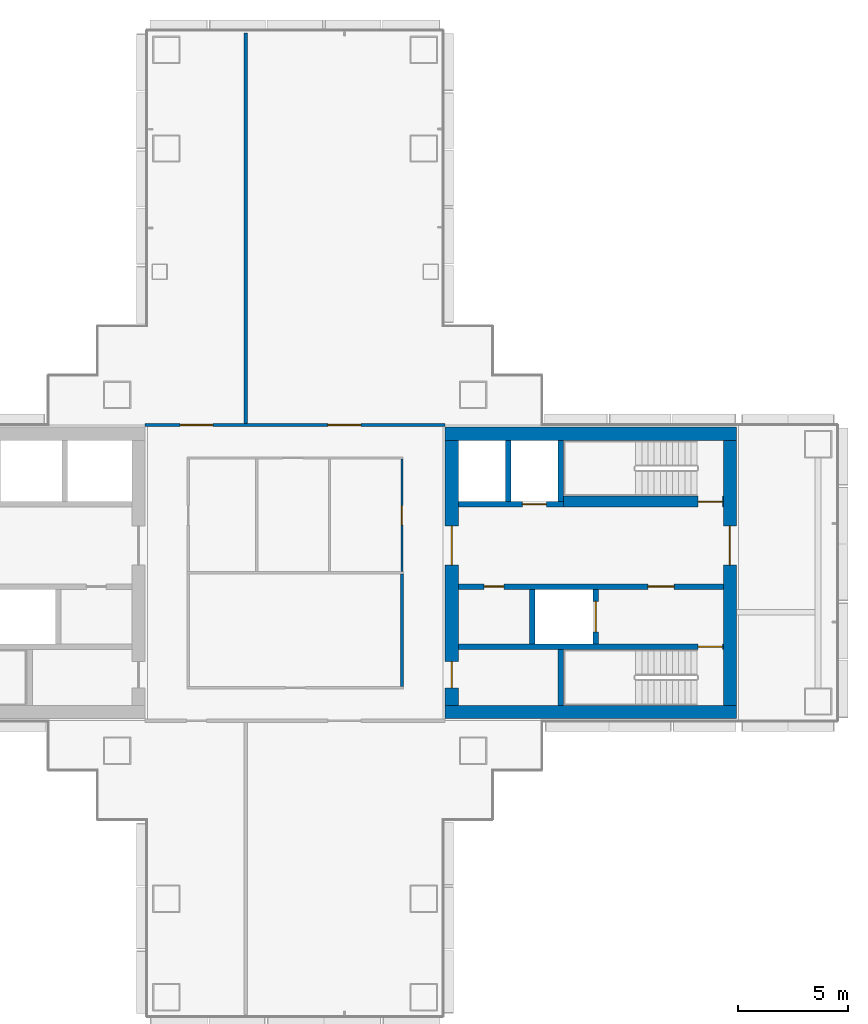
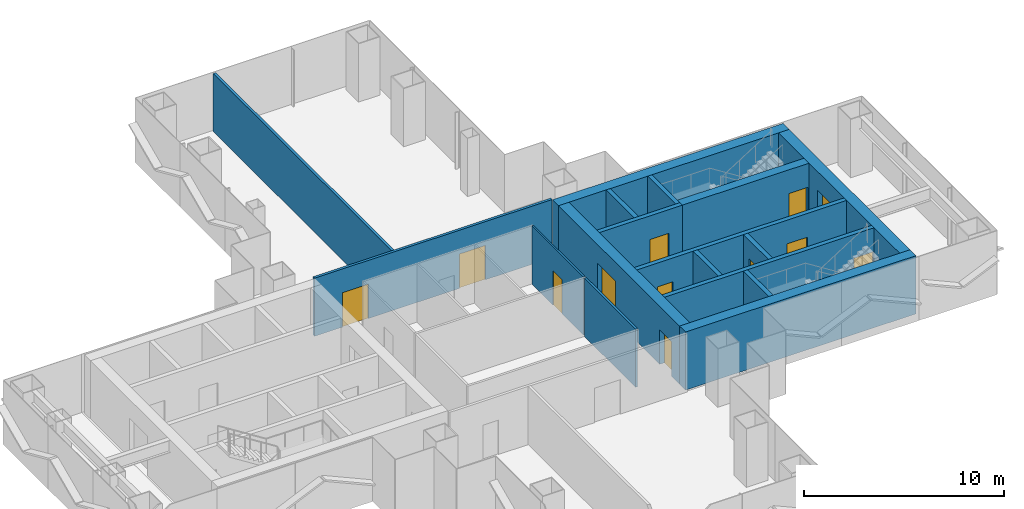
# One storey, part 15 of 20: 17 walls, 12 doors, 12 openings.
"""IFC4 building model written with IfcOpenShell, lengths in metres."""

from ifc_helpers import new_model, si_unit, direction, frame, frame_2d, origin, place, context, subcontext, project, spatial, rectangle, extrude, material, layer, layer_set, type_object, element, fill, save


model = new_model("IFC4")

# Units and contexts
model_context = context("Model", 3, precision=1e-05, world=origin(), true_north=direction((0.0, 1.0)))
body_context = subcontext(model_context, "Body", "Model", "MODEL_VIEW")
ifc_project = project(units=[si_unit("LENGTHUNIT", "METRE"), si_unit("AREAUNIT", "SQUARE_METRE"), si_unit("VOLUMEUNIT", "CUBIC_METRE"), si_unit("PLANEANGLEUNIT", "RADIAN"), si_unit("MASSUNIT", "GRAM", prefix="KILO")], contexts=[model_context])

# Site, building, storey
site_placement = place(None, origin())
site = spatial("IfcSite", under=ifc_project, at=site_placement, CompositionType="ELEMENT")
building_placement = place(site_placement, origin())
building = spatial("IfcBuilding", under=site, at=building_placement, Name="Shamsa Quay Exchange Towers", CompositionType="ELEMENT")
storey_placement = place(building_placement, frame((0.0, 0.0, 101.39990234375)))
storey = spatial("IfcBuildingStorey", under=building, at=storey_placement, Name="L23", CompositionType="ELEMENT", Elevation=101.39990234375)

# Walls
ifc_material_1 = material(Name="Concrete C70/85", Category="concrete")
ifc_layer_1 = layer(ifc_material_1, 0.60009765625)
ifc_layer_set_1 = layer_set([ifc_layer_1], Name="CORE WALL 600 C70/85")
wall_type_1 = type_object("IfcWallType", Name="CORE WALL 600 C70/85", PredefinedType="SHEAR", material=ifc_layer_set_1)
for number, where, z_axis, x_axis, name in (
    (1, (53.89990234375, -6.35009765625, 0.0), (0.0, 0.0, 1.0), (-1.0, 0.0, 0.0), "Core wall T2B-R10-PS"),
    (2, (53.89990234375, 6.35009765625, 0.0), (0.0, 0.0, 1.0), (-1.0, 0.0, 0.0), "Core wall T2B-R10-PN"),
):
    element("IfcWall", number, at=place(storey_placement, frame(where, z_axis=z_axis, x_axis=x_axis)), inside=storey, type_object=wall_type_1, Name=name, PredefinedType="SHEAR", context=body_context, shape_type="SweptSolid", body=[
        extrude(rectangle(XDim=13.2998046875, YDim=0.60009765625, at=frame_2d((6.64990234375, 0.0))), origin(), (0.0, 0.0, 1.0), 3.550048828125),
    ])

# Wall, opening, door
wall_1_placement = place(storey_placement, frame((53.60009765625, -6.050048828125, 0.0), z_axis=(0.0, 0.0, 1.0), x_axis=(0.0, 1.0, 0.0)))
wall_1 = element("IfcWall", 3, at=wall_1_placement, inside=storey, type_object=wall_type_1, Name="Core wall T2B-R10-PF", PredefinedType="SHEAR", context=body_context, shape_type="SweptSolid", body=[
    extrude(rectangle(XDim=12.10009765625, YDim=0.60009765625, at=frame_2d((6.050048828125, 0.0))), origin(), (0.0, 0.0, 1.0), 3.550048828125),
])
opening_1_placement = place(wall_1_placement, frame((6.39990234375, 0.0, 0.0)))
opening_1 = element("IfcOpeningElement", 4, at=opening_1_placement, cuts=wall_1, Name="Opening T2B-R10-LBD01", PredefinedType="OPENING", context=body_context, shape_type="SweptSolid", body=[
    extrude(rectangle(XDim=1.800048828125, YDim=2.39990234375, at=frame_2d((0.89990234375, 1.199951171875))), frame((0.0, 0.31005859375, 0.0), z_axis=(0.0, -1.0, 0.0), x_axis=(1.0, 0.0, 0.0)), (0.0, 0.0, 1.0), 0.6201171875),
])
ifc_material_2 = material(Name="Steel, fire rated", Category="steel")
door_type_1 = type_object("IfcDoorType", Name="LIFT LOBBY DOOR PAIR 1800", OperationType="DOUBLE_DOOR_SINGLE_SWING", PredefinedType="DOOR", material=ifc_material_2)
door_1_placement = place(opening_1_placement, origin())
door_1 = element("IfcDoor", 5, at=door_1_placement, inside=storey, type_object=door_type_1, Name="T2B-R10-LBD01", OperationType="DOUBLE_DOOR_SINGLE_SWING", OverallHeight=2.39990234375, OverallWidth=1.800048828125, PredefinedType="DOOR", context=body_context, shape_type="SweptSolid", body=[
    extrude(rectangle(XDim=1.800048828125, YDim=2.39990234375, at=frame_2d((0.89990234375, 1.199951171875))), frame((0.0, 0.02490234375, 0.0), z_axis=(0.0, -1.0, 0.0), x_axis=(1.0, 0.0, 0.0)), (0.0, 0.0, 1.0), 0.050048828125),
])
fill(opening_1, door_1)

# Wall, openings, doors
wall_2_placement = place(storey_placement, frame((40.89990234375, -6.050048828125, 0.0), z_axis=(0.0, 0.0, 1.0), x_axis=(0.0, 1.0, 0.0)))
wall_2 = element("IfcWall", 6, at=wall_2_placement, inside=storey, type_object=wall_type_1, Name="Core wall T2B-R10-PB", PredefinedType="SHEAR", context=body_context, shape_type="SweptSolid", body=[
    extrude(rectangle(XDim=12.10009765625, YDim=0.60009765625, at=frame_2d((6.050048828125, 0.0))), origin(), (0.0, 0.0, 1.0), 3.550048828125),
])
opening_2_placement = place(wall_2_placement, frame((0.800048828125, 0.0, 0.0)))
opening_2 = element("IfcOpeningElement", 7, at=opening_2_placement, cuts=wall_2, Name="Opening T2B-R10-RD02", PredefinedType="OPENING", context=body_context, shape_type="SweptSolid", body=[
    extrude(rectangle(XDim=1.199951171875, YDim=2.10009765625, at=frame_2d((0.60009765625, 1.050048828125))), frame((0.0, 0.31005859375, 0.0), z_axis=(0.0, -1.0, 0.0), x_axis=(1.0, 0.0, 0.0)), (0.0, 0.0, 1.0), 0.6201171875),
])
opening_3_placement = place(wall_2_placement, frame((6.39990234375, 0.0, 0.0)))
opening_3 = element("IfcOpeningElement", 8, at=opening_3_placement, cuts=wall_2, Name="Opening T2B-R10-LBD03", PredefinedType="OPENING", context=body_context, shape_type="SweptSolid", body=[
    extrude(rectangle(XDim=1.800048828125, YDim=2.39990234375, at=frame_2d((0.89990234375, 1.199951171875))), frame((0.0, 0.31005859375, 0.0), z_axis=(0.0, -1.0, 0.0), x_axis=(1.0, 0.0, 0.0)), (0.0, 0.0, 1.0), 0.6201171875),
])
door_2_placement = place(opening_3_placement, origin())
door_2 = element("IfcDoor", 9, at=door_2_placement, inside=storey, type_object=door_type_1, Name="T2B-R10-LBD03", OperationType="DOUBLE_DOOR_SINGLE_SWING", OverallHeight=2.39990234375, OverallWidth=1.800048828125, PredefinedType="DOOR", context=body_context, shape_type="SweptSolid", body=[
    extrude(rectangle(XDim=1.800048828125, YDim=2.39990234375, at=frame_2d((0.89990234375, 1.199951171875))), frame((0.0, 0.02490234375, 0.0), z_axis=(0.0, -1.0, 0.0), x_axis=(1.0, 0.0, 0.0)), (0.0, 0.0, 1.0), 0.050048828125),
])
fill(opening_3, door_2)
door_type_2 = type_object("IfcDoorType", Name="RISER ACCESS DOOR 1200", OperationType="SINGLE_SWING_LEFT", PredefinedType="DOOR", material=ifc_material_2)
door_3_placement = place(opening_2_placement, origin())
door_3 = element("IfcDoor", 10, at=door_3_placement, inside=storey, type_object=door_type_2, Name="T2B-R10-RD02", OperationType="SINGLE_SWING_LEFT", OverallHeight=2.10009765625, OverallWidth=1.199951171875, PredefinedType="DOOR", context=body_context, shape_type="SweptSolid", body=[
    extrude(rectangle(XDim=1.199951171875, YDim=2.10009765625, at=frame_2d((0.60009765625, 1.050048828125))), frame((0.0, 0.02490234375, 0.0), z_axis=(0.0, -1.0, 0.0), x_axis=(1.0, 0.0, 0.0)), (0.0, 0.0, 1.0), 0.050048828125),
])
fill(opening_2, door_3)

# Wall
ifc_material_3 = material(Name="Laminated fire-resisting glass in a metal frame", Category="glass")
ifc_layer_2 = layer(ifc_material_3, 0.125)
ifc_layer_set_2 = layer_set([ifc_layer_2], Name="Glazed partition 125 mm EI 60")
wall_type_2 = type_object("IfcWallType", Name="Glazed partition 125 mm EI 60", PredefinedType="PARTITIONING", material=ifc_layer_set_2)
wall_3_placement = place(storey_placement, frame((38.625, -5.1875, 0.0), z_axis=(0.0, 0.0, 1.0), x_axis=(0.0, 1.0, 0.0)))
element("IfcWall", 11, at=wall_3_placement, inside=storey, type_object=wall_type_2, Name="Partition T2-R10-W01", PredefinedType="PARTITIONING", context=body_context, shape_type="SweptSolid", body=[
    extrude(rectangle(XDim=5.125, YDim=0.125, at=frame_2d((2.5625, 0.0))), origin(), (0.0, 0.0, 1.0), 3.550048828125),
])

# Wall, opening, door
ifc_material_4 = material(Name="Gypsum board partition on metal studs")
ifc_layer_3 = layer(ifc_material_4, 0.10009765625)
ifc_layer_set_3 = layer_set([ifc_layer_3], Name="Partition 100 mm NOT RATED")
wall_type_3 = type_object("IfcWallType", Name="Partition 100 mm NOT RATED", PredefinedType="PARTITIONING", material=ifc_layer_set_3)
wall_4_placement = place(storey_placement, frame((38.625, 0.0625, 0.0), z_axis=(0.0, 0.0, 1.0), x_axis=(0.0, 1.0, 0.0)))
wall_4 = element("IfcWall", 12, at=wall_4_placement, inside=storey, type_object=wall_type_3, Name="Partition T2-R10-W04", PredefinedType="PARTITIONING", context=body_context, shape_type="SweptSolid", body=[
    extrude(rectangle(XDim=5.137451171875, YDim=0.10009765625, at=frame_2d((2.56884765625, 0.0))), origin(), (0.0, 0.0, 1.0), 3.550048828125),
])
opening_4_placement = place(wall_4_placement, frame((2.112548828125, 0.0, 0.0)))
opening_4 = element("IfcOpeningElement", 13, at=opening_4_placement, cuts=wall_4, Name="Opening T2-R10-D04", PredefinedType="OPENING", context=body_context, shape_type="SweptSolid", body=[
    extrude(rectangle(XDim=0.89990234375, YDim=2.10009765625, at=frame_2d((0.449951171875, 1.050048828125))), frame((0.0, 0.06005859375, 0.0), z_axis=(0.0, -1.0, 0.0), x_axis=(1.0, 0.0, 0.0)), (0.0, 0.0, 1.0), 0.1201171875),
])
ifc_material_5 = material(Name="Timber door leaf in a metal frame", Category="wood")
door_type_3 = type_object("IfcDoorType", Name="Door 900x2100 NOT RATED", OperationType="NOTDEFINED", PredefinedType="DOOR", material=ifc_material_5)
door_4_placement = place(opening_4_placement, origin())
door_4 = element("IfcDoor", 14, at=door_4_placement, inside=storey, type_object=door_type_3, Name="Door T2-R10-D04", OperationType="SINGLE_SWING_LEFT", OverallHeight=2.10009765625, OverallWidth=0.89990234375, PredefinedType="DOOR", context=body_context, shape_type="SweptSolid", body=[
    extrude(rectangle(XDim=0.89990234375, YDim=2.10009765625, at=frame_2d((0.449951171875, 1.050048828125))), frame((0.0, 0.02490234375, 0.0), z_axis=(0.0, -1.0, 0.0), x_axis=(1.0, 0.0, 0.0)), (0.0, 0.0, 1.0), 0.050048828125),
])
fill(opening_4, door_4)

# Wall, openings, doors
ifc_layer_4 = layer(ifc_material_4, 0.14990234375)
ifc_layer_set_4 = layer_set([ifc_layer_4], Name="Partition 150 mm EI 60")
wall_type_4 = type_object("IfcWallType", Name="Partition 150 mm EI 60", PredefinedType="PARTITIONING", material=ifc_layer_set_4)
wall_5_placement = place(storey_placement, frame((26.89990234375, 6.75, 0.0)))
wall_5 = element("IfcWall", 15, at=wall_5_placement, inside=storey, type_object=wall_type_4, Name="Partition T2-R10-W07", PredefinedType="PARTITIONING", context=body_context, shape_type="SweptSolid", body=[
    extrude(rectangle(XDim=13.7001953125, YDim=0.14990234375, at=frame_2d((6.85009765625, 0.0))), origin(), (0.0, 0.0, 1.0), 3.550048828125),
])
opening_5_placement = place(wall_5_placement, frame((8.35009765625, 0.0, 0.0)))
opening_5 = element("IfcOpeningElement", 16, at=opening_5_placement, cuts=wall_5, Name="Opening T2-R10-D01", PredefinedType="OPENING", context=body_context, shape_type="SweptSolid", body=[
    extrude(rectangle(XDim=1.5, YDim=2.10009765625, at=frame_2d((0.75, 1.050048828125))), frame((0.0, 0.0849609375, 0.0), z_axis=(0.0, -1.0, 0.0), x_axis=(1.0, 0.0, 0.0)), (0.0, 0.0, 1.0), 0.169921875),
])
opening_6_placement = place(wall_5_placement, frame((1.60009765625, 0.0, 0.0)))
opening_6 = element("IfcOpeningElement", 17, at=opening_6_placement, cuts=wall_5, Name="Opening T2-R10-D02", PredefinedType="OPENING", context=body_context, shape_type="SweptSolid", body=[
    extrude(rectangle(XDim=1.5, YDim=2.10009765625, at=frame_2d((0.75, 1.050048828125))), frame((0.0, 0.0849609375, 0.0), z_axis=(0.0, -1.0, 0.0), x_axis=(1.0, 0.0, 0.0)), (0.0, 0.0, 1.0), 0.169921875),
])
door_type_4 = type_object("IfcDoorType", Name="Door 1500x2100 FD30S pair", OperationType="NOTDEFINED", PredefinedType="DOOR", material=ifc_material_5)
door_5_placement = place(opening_5_placement, origin())
door_5 = element("IfcDoor", 18, at=door_5_placement, inside=storey, type_object=door_type_4, Name="Door T2-R10-D01", OperationType="DOUBLE_DOOR_SINGLE_SWING", OverallHeight=2.10009765625, OverallWidth=1.5, PredefinedType="DOOR", context=body_context, shape_type="SweptSolid", body=[
    extrude(rectangle(XDim=1.5, YDim=2.10009765625, at=frame_2d((0.75, 1.050048828125))), frame((0.0, 0.02490234375, 0.0), z_axis=(0.0, -1.0, 0.0), x_axis=(1.0, 0.0, 0.0)), (0.0, 0.0, 1.0), 0.050048828125),
])
fill(opening_5, door_5)
door_6_placement = place(opening_6_placement, origin())
door_6 = element("IfcDoor", 19, at=door_6_placement, inside=storey, type_object=door_type_4, Name="Door T2-R10-D02", OperationType="DOUBLE_DOOR_SINGLE_SWING", OverallHeight=2.10009765625, OverallWidth=1.5, PredefinedType="DOOR", context=body_context, shape_type="SweptSolid", body=[
    extrude(rectangle(XDim=1.5, YDim=2.10009765625, at=frame_2d((0.75, 1.050048828125))), frame((0.0, 0.02490234375, 0.0), z_axis=(0.0, -1.0, 0.0), x_axis=(1.0, 0.0, 0.0)), (0.0, 0.0, 1.0), 0.050048828125),
])
fill(opening_6, door_6)

# Wall
wall_6_placement = place(storey_placement, frame((31.5, 24.655029296875, 0.0), z_axis=(0.0, 0.0, 1.0), x_axis=(0.0, -1.0, 0.0)))
element("IfcWall", 20, at=wall_6_placement, inside=storey, type_object=wall_type_4, Name="Partition T2-R10-W13", PredefinedType="PARTITIONING", context=body_context, shape_type="SweptSolid", body=[
    extrude(rectangle(XDim=17.830078125, YDim=0.14990234375, at=frame_2d((8.9150390625, 0.0))), origin(), (0.0, 0.0, 1.0), 3.550048828125),
])

# Wall, opening, door
ifc_material_6 = material(Name="Concrete C50/60", Category="concrete")
ifc_layer_5 = layer(ifc_material_6, 0.25)
ifc_layer_set_5 = layer_set([ifc_layer_5], Name="SHAFT WALL 250 C50/60")
wall_type_5 = type_object("IfcWallType", Name="SHAFT WALL 250 C50/60", PredefinedType="SHEAR", material=ifc_layer_set_5)
wall_7_placement = place(storey_placement, frame((53.300048828125, -3.375, 0.0), z_axis=(0.0, 0.0, 1.0), x_axis=(-1.0, 0.0, 0.0)))
wall_7 = element("IfcWall", 21, at=wall_7_placement, inside=storey, type_object=wall_type_5, Name="Shaft wall T2B-R10-STL", PredefinedType="SHEAR", context=body_context, shape_type="SweptSolid", body=[
    extrude(rectangle(XDim=12.10009765625, YDim=0.25, at=frame_2d((6.050048828125, 0.0))), origin(), (0.0, 0.0, 1.0), 3.550048828125),
])
opening_7_placement = place(wall_7_placement, frame((0.050048828125, 0.0, 0.0)))
opening_7 = element("IfcOpeningElement", 22, at=opening_7_placement, cuts=wall_7, Name="Opening T2B-R10-SD04", PredefinedType="OPENING", context=body_context, shape_type="SweptSolid", body=[
    extrude(rectangle(XDim=1.10009765625, YDim=2.10009765625, at=frame_2d((0.550048828125, 1.050048828125))), frame((0.0, 0.135009765625, 0.0), z_axis=(0.0, -1.0, 0.0), x_axis=(1.0, 0.0, 0.0)), (0.0, 0.0, 1.0), 0.27001953125),
])
door_type_5 = type_object("IfcDoorType", Name="STAIR DOOR 1100", OperationType="SINGLE_SWING_LEFT", PredefinedType="DOOR", material=ifc_material_2)
door_7_placement = place(opening_7_placement, origin())
door_7 = element("IfcDoor", 23, at=door_7_placement, inside=storey, type_object=door_type_5, Name="T2B-R10-SD04", OperationType="SINGLE_SWING_LEFT", OverallHeight=2.10009765625, OverallWidth=1.10009765625, PredefinedType="DOOR", context=body_context, shape_type="SweptSolid", body=[
    extrude(rectangle(XDim=1.10009765625, YDim=2.10009765625, at=frame_2d((0.550048828125, 1.050048828125))), frame((0.0, 0.02490234375, 0.0), z_axis=(0.0, -1.0, 0.0), x_axis=(1.0, 0.0, 0.0)), (0.0, 0.0, 1.0), 0.050048828125),
])
fill(opening_7, door_7)

# Wall
wall_8_placement = place(storey_placement, frame((45.875, -6.050048828125, 0.0), z_axis=(0.0, 0.0, 1.0), x_axis=(0.0, 1.0, 0.0)))
element("IfcWall", 24, at=wall_8_placement, inside=storey, type_object=wall_type_5, Name="Shaft wall T2B-R10-STF", PredefinedType="SHEAR", context=body_context, shape_type="SweptSolid", body=[
    extrude(rectangle(XDim=2.550048828125, YDim=0.25, at=frame_2d((1.27490234375, 0.0))), origin(), (0.0, 0.0, 1.0), 3.550048828125),
])

# Wall, openings, doors
wall_9_placement = place(storey_placement, frame((53.300048828125, -0.625, 0.0), z_axis=(0.0, 0.0, 1.0), x_axis=(-1.0, 0.0, 0.0)))
wall_9 = element("IfcWall", 25, at=wall_9_placement, inside=storey, type_object=wall_type_5, Name="Shaft wall T2B-R10-B", PredefinedType="SHEAR", context=body_context, shape_type="SweptSolid", body=[
    extrude(rectangle(XDim=12.10009765625, YDim=0.25, at=frame_2d((6.050048828125, 0.0))), origin(), (0.0, 0.0, 1.0), 3.550048828125),
])
opening_8_placement = place(wall_9_placement, frame((2.25, 0.0, 0.0)))
opening_8 = element("IfcOpeningElement", 26, at=opening_8_placement, cuts=wall_9, Name="Opening T2B-R10-FD05", PredefinedType="OPENING", context=body_context, shape_type="SweptSolid", body=[
    extrude(rectangle(XDim=1.199951171875, YDim=2.10009765625, at=frame_2d((0.60009765625, 1.050048828125))), frame((0.0, 0.135009765625, 0.0), z_axis=(0.0, -1.0, 0.0), x_axis=(1.0, 0.0, 0.0)), (0.0, 0.0, 1.0), 0.27001953125),
])
opening_9_placement = place(wall_9_placement, frame((10.02490234375, 0.0, 0.0)))
opening_9 = element("IfcOpeningElement", 27, at=opening_9_placement, cuts=wall_9, Name="Opening T2B-R10-SV06", PredefinedType="OPENING", context=body_context, shape_type="SweptSolid", body=[
    extrude(rectangle(XDim=0.89990234375, YDim=2.10009765625, at=frame_2d((0.449951171875, 1.050048828125))), frame((0.0, 0.135009765625, 0.0), z_axis=(0.0, -1.0, 0.0), x_axis=(1.0, 0.0, 0.0)), (0.0, 0.0, 1.0), 0.27001953125),
])
door_type_6 = type_object("IfcDoorType", Name="FIRE SERVICE LOBBY DOOR 1200", OperationType="SINGLE_SWING_LEFT", PredefinedType="DOOR", material=ifc_material_2)
door_8_placement = place(opening_8_placement, origin())
door_8 = element("IfcDoor", 28, at=door_8_placement, inside=storey, type_object=door_type_6, Name="T2B-R10-FD05", OperationType="SINGLE_SWING_LEFT", OverallHeight=2.10009765625, OverallWidth=1.199951171875, PredefinedType="DOOR", context=body_context, shape_type="SweptSolid", body=[
    extrude(rectangle(XDim=1.199951171875, YDim=2.10009765625, at=frame_2d((0.60009765625, 1.050048828125))), frame((0.0, 0.02490234375, 0.0), z_axis=(0.0, -1.0, 0.0), x_axis=(1.0, 0.0, 0.0)), (0.0, 0.0, 1.0), 0.050048828125),
])
fill(opening_8, door_8)
door_type_7 = type_object("IfcDoorType", Name="SERVICE ROOM DOOR 900", OperationType="SINGLE_SWING_LEFT", PredefinedType="DOOR", material=ifc_material_2)
door_9_placement = place(opening_9_placement, origin())
door_9 = element("IfcDoor", 29, at=door_9_placement, inside=storey, type_object=door_type_7, Name="T2B-R10-SV06", OperationType="SINGLE_SWING_RIGHT", OverallHeight=2.10009765625, OverallWidth=0.89990234375, PredefinedType="DOOR", context=body_context, shape_type="SweptSolid", body=[
    extrude(rectangle(XDim=0.89990234375, YDim=2.10009765625, at=frame_2d((0.449951171875, 1.050048828125))), frame((0.0, 0.02490234375, 0.0), z_axis=(0.0, -1.0, 0.0), x_axis=(1.0, 0.0, 0.0)), (0.0, 0.0, 1.0), 0.050048828125),
])
fill(opening_9, door_9)

# Wall, opening, door
wall_10_placement = place(storey_placement, frame((47.47509765625, -3.25, 0.0), z_axis=(0.0, 0.0, 1.0), x_axis=(0.0, 1.0, 0.0)))
wall_10 = element("IfcWall", 30, at=wall_10_placement, inside=storey, type_object=wall_type_5, Name="Shaft wall T2B-R10-FFF", PredefinedType="SHEAR", context=body_context, shape_type="SweptSolid", body=[
    extrude(rectangle(XDim=2.5, YDim=0.25, at=frame_2d((1.25, 0.0))), origin(), (0.0, 0.0, 1.0), 3.550048828125),
])
opening_10_placement = place(wall_10_placement, frame((0.550048828125, 0.0, 0.0)))
opening_10 = element("IfcOpeningElement", 31, at=opening_10_placement, cuts=wall_10, Name="Opening T2B-R10-LDG07", PredefinedType="OPENING", context=body_context, shape_type="SweptSolid", body=[
    extrude(rectangle(XDim=1.39990234375, YDim=2.39990234375, at=frame_2d((0.699951171875, 1.199951171875))), frame((0.0, 0.135009765625, 0.0), z_axis=(0.0, -1.0, 0.0), x_axis=(1.0, 0.0, 0.0)), (0.0, 0.0, 1.0), 0.27001953125),
])
door_type_8 = type_object("IfcDoorType", Name="GOODS LIFT LANDING DOOR 1400", OperationType="SLIDING_TO_LEFT", PredefinedType="DOOR", material=ifc_material_2)
door_10_placement = place(opening_10_placement, origin())
door_10 = element("IfcDoor", 32, at=door_10_placement, inside=storey, type_object=door_type_8, Name="T2B-R10-LDG07", OperationType="SLIDING_TO_LEFT", OverallHeight=2.39990234375, OverallWidth=1.39990234375, PredefinedType="DOOR", context=body_context, shape_type="SweptSolid", body=[
    extrude(rectangle(XDim=1.39990234375, YDim=2.39990234375, at=frame_2d((0.699951171875, 1.199951171875))), frame((0.0, 0.02490234375, 0.0), z_axis=(0.0, -1.0, 0.0), x_axis=(1.0, 0.0, 0.0)), (0.0, 0.0, 1.0), 0.050048828125),
])
fill(opening_10, door_10)

# Wall
wall_11_placement = place(storey_placement, frame((44.574951171875, -3.25, 0.0), z_axis=(0.0, 0.0, 1.0), x_axis=(0.0, 1.0, 0.0)))
element("IfcWall", 33, at=wall_11_placement, inside=storey, type_object=wall_type_5, Name="Shaft wall T2B-R10-FFB", PredefinedType="SHEAR", context=body_context, shape_type="SweptSolid", body=[
    extrude(rectangle(XDim=2.5, YDim=0.25, at=frame_2d((1.25, 0.0))), origin(), (0.0, 0.0, 1.0), 3.550048828125),
])

# Wall, opening, door
wall_12_placement = place(storey_placement, frame((46.0, 3.125, 0.0), z_axis=(0.0, 0.0, 1.0), x_axis=(-1.0, 0.0, 0.0)))
wall_12 = element("IfcWall", 34, at=wall_12_placement, inside=storey, type_object=wall_type_5, Name="Shaft wall T2B-R10-N2", PredefinedType="SHEAR", context=body_context, shape_type="SweptSolid", body=[
    extrude(rectangle(XDim=4.800048828125, YDim=0.25, at=frame_2d((2.39990234375, 0.0))), origin(), (0.0, 0.0, 1.0), 3.550048828125),
])
opening_11_placement = place(wall_12_placement, frame((0.77490234375, 0.0, 0.0)))
opening_11 = element("IfcOpeningElement", 35, at=opening_11_placement, cuts=wall_12, Name="Opening T2B-R10-LD09", PredefinedType="OPENING", context=body_context, shape_type="SweptSolid", body=[
    extrude(rectangle(XDim=1.10009765625, YDim=2.10009765625, at=frame_2d((0.550048828125, 1.050048828125))), frame((0.0, 0.135009765625, 0.0), z_axis=(0.0, -1.0, 0.0), x_axis=(1.0, 0.0, 0.0)), (0.0, 0.0, 1.0), 0.27001953125),
])
door_type_9 = type_object("IfcDoorType", Name="LANDING DOOR 1100", OperationType="SLIDING_TO_LEFT", PredefinedType="DOOR", material=ifc_material_2)
door_11_placement = place(opening_11_placement, origin())
door_11 = element("IfcDoor", 36, at=door_11_placement, inside=storey, type_object=door_type_9, Name="T2B-R10-LD09", OperationType="SLIDING_TO_LEFT", OverallHeight=2.10009765625, OverallWidth=1.10009765625, PredefinedType="DOOR", context=body_context, shape_type="SweptSolid", body=[
    extrude(rectangle(XDim=1.10009765625, YDim=2.10009765625, at=frame_2d((0.550048828125, 1.050048828125))), frame((0.0, 0.02490234375, 0.0), z_axis=(0.0, -1.0, 0.0), x_axis=(1.0, 0.0, 0.0)), (0.0, 0.0, 1.0), 0.050048828125),
])
fill(opening_11, door_11)

# Walls
for number, where, z_axis, x_axis, name in (
    (37, (45.875, 3.25, 0.0), (0.0, 0.0, 1.0), (0.0, 1.0, 0.0), "Shaft wall T2B-R10-STF2"),
    (38, (43.47509765625, 3.25, 0.0), (0.0, 0.0, 1.0), (0.0, 1.0, 0.0), "Shaft wall T2B-R10-D0"),
):
    element("IfcWall", number, at=place(storey_placement, frame(where, z_axis=z_axis, x_axis=x_axis)), inside=storey, type_object=wall_type_5, Name=name, PredefinedType="SHEAR", context=body_context, shape_type="SweptSolid", body=[
        extrude(rectangle(XDim=2.800048828125, YDim=0.25, at=frame_2d((1.39990234375, 0.0))), origin(), (0.0, 0.0, 1.0), 3.550048828125),
    ])

# Wall, opening, door
ifc_layer_6 = layer(ifc_material_6, 0.5)
ifc_layer_set_6 = layer_set([ifc_layer_6], Name="SHAFT WALL 500 C50/60")
wall_type_6 = type_object("IfcWallType", Name="SHAFT WALL 500 C50/60", PredefinedType="SHEAR", material=ifc_layer_set_6)
wall_13_placement = place(storey_placement, frame((46.0, 3.25, 0.0)))
wall_13 = element("IfcWall", 39, at=wall_13_placement, inside=storey, type_object=wall_type_6, Name="Shaft wall T2B-R10-N", PredefinedType="SHEAR", context=body_context, shape_type="SweptSolid", body=[
    extrude(rectangle(XDim=7.300048828125, YDim=0.5, at=frame_2d((3.64990234375, 0.0))), origin(), (0.0, 0.0, 1.0), 3.550048828125),
])
opening_12_placement = place(wall_13_placement, frame((6.14990234375, 0.0, 0.0)))
opening_12 = element("IfcOpeningElement", 40, at=opening_12_placement, cuts=wall_13, Name="Opening T2B-R10-SD08", PredefinedType="OPENING", context=body_context, shape_type="SweptSolid", body=[
    extrude(rectangle(XDim=1.10009765625, YDim=2.10009765625, at=frame_2d((0.550048828125, 1.050048828125))), frame((0.0, 0.260009765625, 0.0), z_axis=(0.0, -1.0, 0.0), x_axis=(1.0, 0.0, 0.0)), (0.0, 0.0, 1.0), 0.52001953125),
])
door_12_placement = place(opening_12_placement, origin())
door_12 = element("IfcDoor", 41, at=door_12_placement, inside=storey, type_object=door_type_5, Name="T2B-R10-SD08", OperationType="SINGLE_SWING_RIGHT", OverallHeight=2.10009765625, OverallWidth=1.10009765625, PredefinedType="DOOR", context=body_context, shape_type="SweptSolid", body=[
    extrude(rectangle(XDim=1.10009765625, YDim=2.10009765625, at=frame_2d((0.550048828125, 1.050048828125))), frame((0.0, 0.02490234375, 0.0), z_axis=(0.0, -1.0, 0.0), x_axis=(1.0, 0.0, 0.0)), (0.0, 0.0, 1.0), 0.050048828125),
])
fill(opening_12, door_12)

save(model, "model.ifc")
